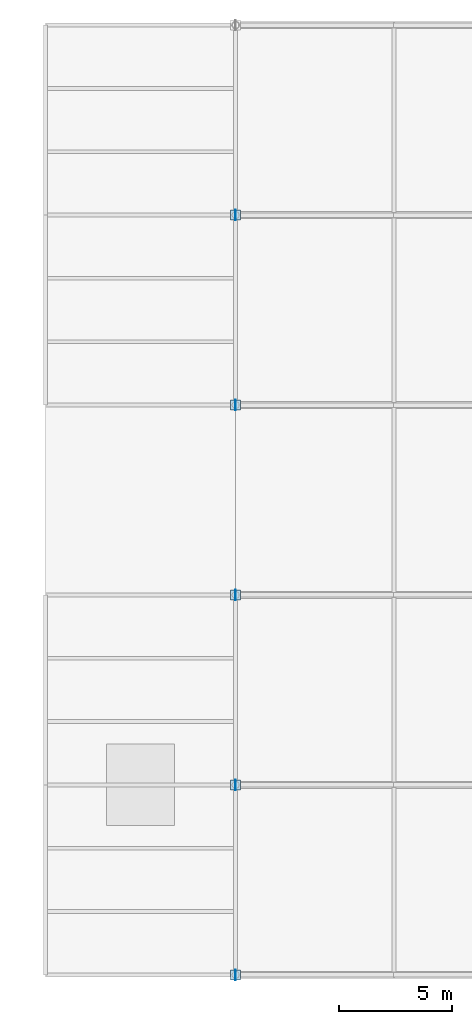
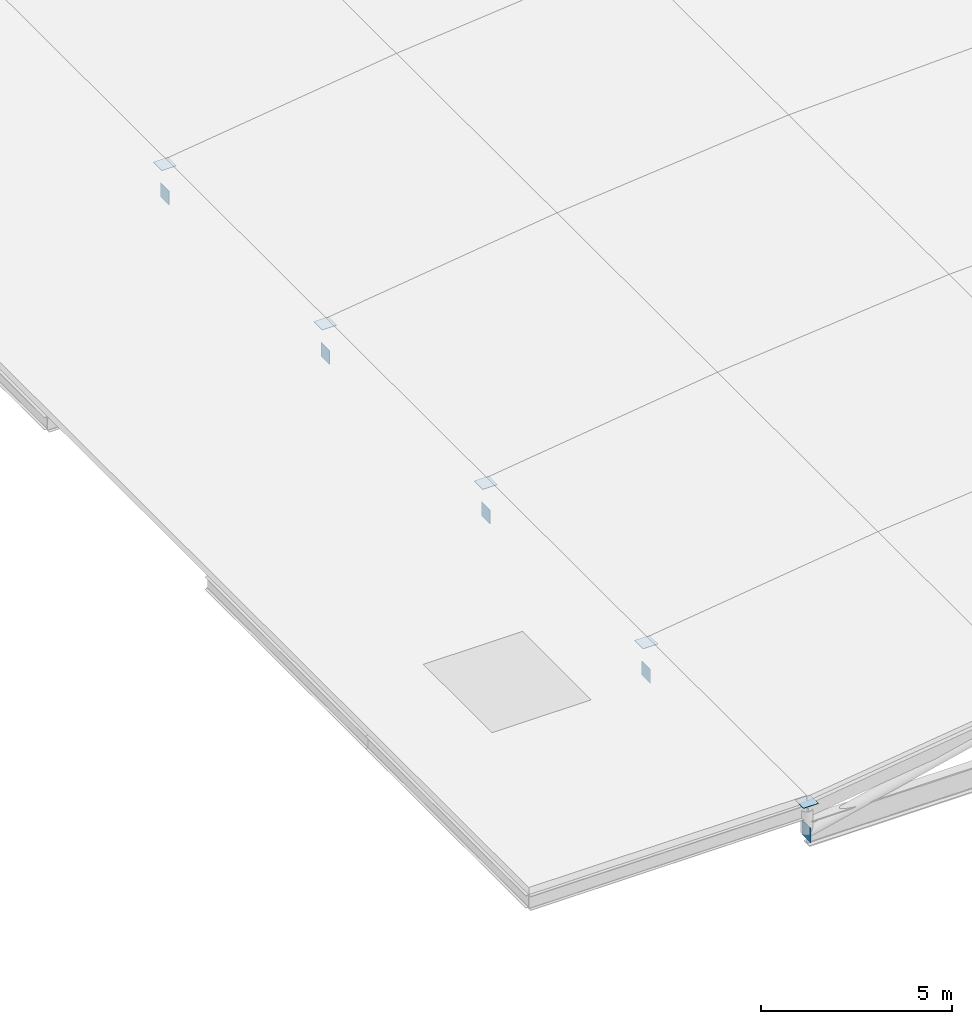
# One storey, part 8 of 11: 10 plates.
"""IFC4 building model written with IfcOpenShell, lengths in metres."""

from ifc_helpers import new_model, si_unit, direction, frame, origin, origin_2d, place, context, subcontext, project, spatial, rectangle, extrude, material, layer, layer_set, type_object, element, save


model = new_model("IFC4")

# Units and contexts
model_context = context("Model", 3, precision=1e-05, world=origin(), true_north=direction((0.0, 1.0)))
body_context = subcontext(model_context, "Body", "Model", "MODEL_VIEW")
ifc_project = project(units=[si_unit("LENGTHUNIT", "METRE"), si_unit("AREAUNIT", "SQUARE_METRE"), si_unit("VOLUMEUNIT", "CUBIC_METRE"), si_unit("PLANEANGLEUNIT", "RADIAN"), si_unit("MASSUNIT", "GRAM", prefix="KILO"), si_unit("THERMODYNAMICTEMPERATUREUNIT", "KELVIN"), si_unit("POWERUNIT", "WATT")], contexts=[model_context])

# Site, building, storey
site_placement = place(None, origin())
site = spatial("IfcSite", under=ifc_project, at=site_placement, CompositionType="ELEMENT")
building_placement = place(site_placement, origin())
building = spatial("IfcBuilding", under=site, at=building_placement, Name="Tembeka Court Mobility Hub", CompositionType="ELEMENT")
storey_placement = place(building_placement, frame((0.0, 0.0, 28.800048828125)))
storey = spatial("IfcBuildingStorey", under=building, at=storey_placement, Name="RF", CompositionType="ELEMENT", Elevation=28.800048828125)

# Plates
ifc_material = material(Name="Steel S355", Category="steel")
ifc_layer = layer(ifc_material, 0.011962890625)
ifc_layer_set = layer_set([ifc_layer], Name="Steel S355")
plate_type = type_object("IfcPlateType", Name="PL-NDP02", PredefinedType="USERDEFINED", material=ifc_layer_set)
plate_1_placement = place(storey_placement, frame((42.0, 38.39990234375, -1.375), z_axis=(0.0, 0.0, 1.0), x_axis=(1.0, 0.0, 0.0)))
element("IfcPlate", 1, at=plate_1_placement, inside=storey, type_object=plate_type, Name="Sports arch springing cast-in embed plate NDP02-1-B1", ObjectType="GUSSET PLATE", PredefinedType="USERDEFINED", context=body_context, shape_type="SweptSolid", body=[
    extrude(rectangle(XDim=0.011962890625, YDim=0.449951171875, at=origin_2d()), origin(), (0.0, 0.0, 1.0), 0.449951171875),
])
plate_2_placement = place(storey_placement, frame((42.0, 38.39990234375, -0.2060546875), z_axis=(0.0, 0.0, 1.0), x_axis=(1.0, 0.0, 0.0)))
element("IfcPlate", 2, at=plate_2_placement, inside=storey, type_object=plate_type, Name="Sports arch springing gusset plate NDP02-1-0", ObjectType="GUSSET PLATE", PredefinedType="USERDEFINED", context=body_context, shape_type="SweptSolid", body=[
    extrude(rectangle(XDim=0.449951171875, YDim=0.449951171875, at=origin_2d()), origin(), (0.0, 0.0, 1.0), 0.011962890625),
])
plate_3_placement = place(storey_placement, frame((42.0, 46.800048828125, -1.375), z_axis=(0.0, 0.0, 1.0), x_axis=(1.0, 0.0, 0.0)))
element("IfcPlate", 3, at=plate_3_placement, inside=storey, type_object=plate_type, Name="Sports arch springing cast-in embed plate NDP02-2-B1", ObjectType="GUSSET PLATE", PredefinedType="USERDEFINED", context=body_context, shape_type="SweptSolid", body=[
    extrude(rectangle(XDim=0.011962890625, YDim=0.449951171875, at=origin_2d()), origin(), (0.0, 0.0, 1.0), 0.449951171875),
])
plate_4_placement = place(storey_placement, frame((42.0, 46.800048828125, -0.2060546875), z_axis=(0.0, 0.0, 1.0), x_axis=(1.0, 0.0, 0.0)))
element("IfcPlate", 4, at=plate_4_placement, inside=storey, type_object=plate_type, Name="Sports arch springing gusset plate NDP02-2-0", ObjectType="GUSSET PLATE", PredefinedType="USERDEFINED", context=body_context, shape_type="SweptSolid", body=[
    extrude(rectangle(XDim=0.449951171875, YDim=0.449951171875, at=origin_2d()), origin(), (0.0, 0.0, 1.0), 0.011962890625),
])
plate_5_placement = place(storey_placement, frame((42.0, 55.199951171875, -1.375), z_axis=(0.0, 0.0, 1.0), x_axis=(1.0, 0.0, 0.0)))
element("IfcPlate", 5, at=plate_5_placement, inside=storey, type_object=plate_type, Name="Sports arch springing cast-in embed plate NDP02-3-B1", ObjectType="GUSSET PLATE", PredefinedType="USERDEFINED", context=body_context, shape_type="SweptSolid", body=[
    extrude(rectangle(XDim=0.011962890625, YDim=0.449951171875, at=origin_2d()), origin(), (0.0, 0.0, 1.0), 0.449951171875),
])
plate_6_placement = place(storey_placement, frame((42.0, 55.199951171875, -0.2060546875), z_axis=(0.0, 0.0, 1.0), x_axis=(1.0, 0.0, 0.0)))
element("IfcPlate", 6, at=plate_6_placement, inside=storey, type_object=plate_type, Name="Sports arch springing gusset plate NDP02-3-0", ObjectType="GUSSET PLATE", PredefinedType="USERDEFINED", context=body_context, shape_type="SweptSolid", body=[
    extrude(rectangle(XDim=0.449951171875, YDim=0.449951171875, at=origin_2d()), origin(), (0.0, 0.0, 1.0), 0.011962890625),
])
plate_7_placement = place(storey_placement, frame((42.0, 63.60009765625, -1.375), z_axis=(0.0, 0.0, 1.0), x_axis=(1.0, 0.0, 0.0)))
element("IfcPlate", 7, at=plate_7_placement, inside=storey, type_object=plate_type, Name="Sports arch springing cast-in embed plate NDP02-4-B1", ObjectType="GUSSET PLATE", PredefinedType="USERDEFINED", context=body_context, shape_type="SweptSolid", body=[
    extrude(rectangle(XDim=0.011962890625, YDim=0.449951171875, at=origin_2d()), origin(), (0.0, 0.0, 1.0), 0.449951171875),
])
plate_8_placement = place(storey_placement, frame((42.0, 63.60009765625, -0.2060546875), z_axis=(0.0, 0.0, 1.0), x_axis=(1.0, 0.0, 0.0)))
element("IfcPlate", 8, at=plate_8_placement, inside=storey, type_object=plate_type, Name="Sports arch springing gusset plate NDP02-4-0", ObjectType="GUSSET PLATE", PredefinedType="USERDEFINED", context=body_context, shape_type="SweptSolid", body=[
    extrude(rectangle(XDim=0.449951171875, YDim=0.449951171875, at=origin_2d()), origin(), (0.0, 0.0, 1.0), 0.011962890625),
])
plate_9_placement = place(storey_placement, frame((42.0, 72.0, -1.375), z_axis=(0.0, 0.0, 1.0), x_axis=(1.0, 0.0, 0.0)))
element("IfcPlate", 9, at=plate_9_placement, inside=storey, type_object=plate_type, Name="Sports arch springing cast-in embed plate NDP02-5-B1", ObjectType="GUSSET PLATE", PredefinedType="USERDEFINED", context=body_context, shape_type="SweptSolid", body=[
    extrude(rectangle(XDim=0.011962890625, YDim=0.449951171875, at=origin_2d()), origin(), (0.0, 0.0, 1.0), 0.449951171875),
])
plate_10_placement = place(storey_placement, frame((42.0, 72.0, -0.2060546875), z_axis=(0.0, 0.0, 1.0), x_axis=(1.0, 0.0, 0.0)))
element("IfcPlate", 10, at=plate_10_placement, inside=storey, type_object=plate_type, Name="Sports arch springing gusset plate NDP02-5-0", ObjectType="GUSSET PLATE", PredefinedType="USERDEFINED", context=body_context, shape_type="SweptSolid", body=[
    extrude(rectangle(XDim=0.449951171875, YDim=0.449951171875, at=origin_2d()), origin(), (0.0, 0.0, 1.0), 0.011962890625),
])

save(model, "model.ifc")
